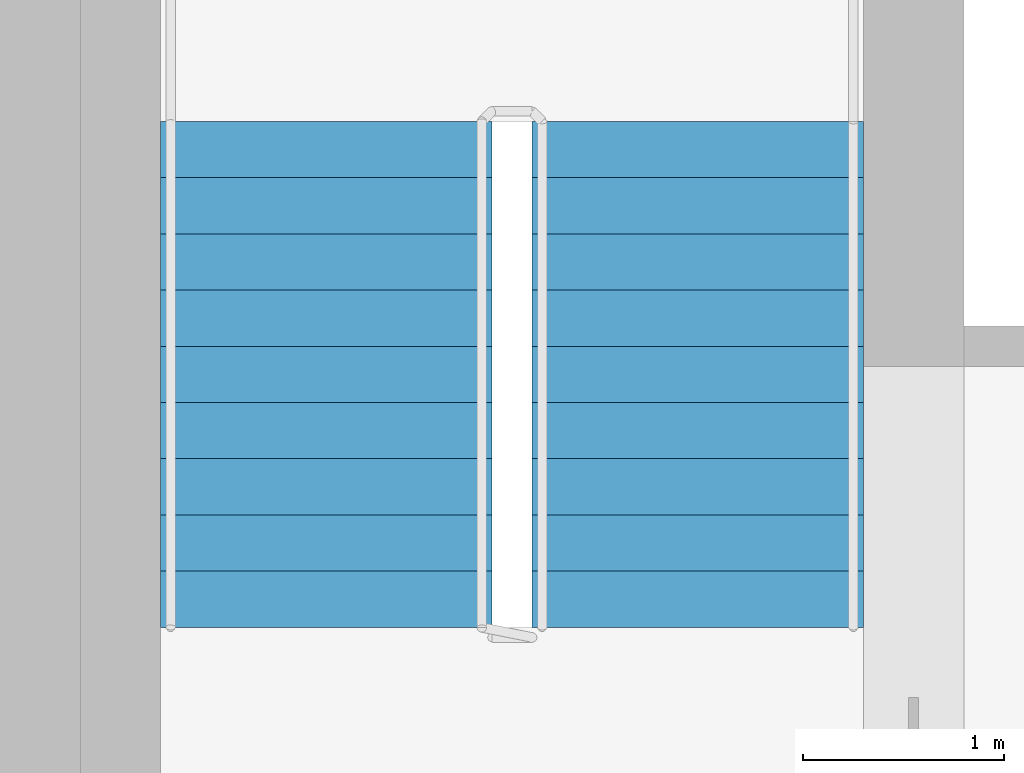
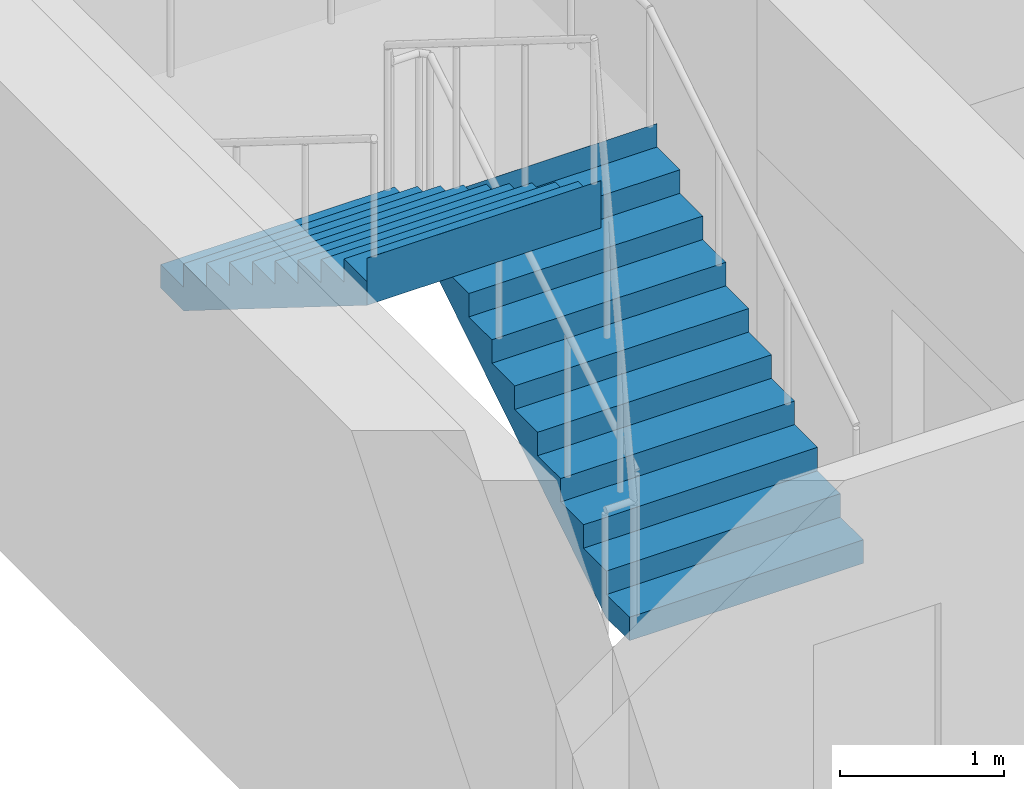
# One storey, part 10 of 11: 2 stair flights, 1 element without a shape of its own.
"""IFC4 building model written with IfcOpenShell, lengths in metres."""

from ifc_helpers import new_model, si_unit, direction, frame, origin, place, context, subcontext, project, spatial, polyline, outline, extrude, material, type_object, element, aggregate, save


model = new_model("IFC4")

# Units and contexts
model_context = context("Model", 3, precision=1e-05, world=origin(), true_north=direction((0.0, 1.0)))
body_context = subcontext(model_context, "Body", "Model", "MODEL_VIEW")
ifc_project = project(units=[si_unit("LENGTHUNIT", "METRE"), si_unit("AREAUNIT", "SQUARE_METRE"), si_unit("VOLUMEUNIT", "CUBIC_METRE"), si_unit("PLANEANGLEUNIT", "RADIAN"), si_unit("MASSUNIT", "GRAM", prefix="KILO")], contexts=[model_context])

# Site, building, storey
site_placement = place(None, origin())
site = spatial("IfcSite", under=ifc_project, at=site_placement, CompositionType="ELEMENT")
building_placement = place(site_placement, origin())
building = spatial("IfcBuilding", under=site, at=building_placement, Name="Tamorin Gate", CompositionType="ELEMENT")
storey_placement = place(building_placement, frame((0.0, 0.0, 233.699951171875)))
storey = spatial("IfcBuildingStorey", under=building, at=storey_placement, Name="L58", CompositionType="ELEMENT", Elevation=233.699951171875)

# Stair, stair flights
ifc_material = material(Name="Concrete C40/50", Category="concrete")
stair_type = type_object("IfcStairType", Name="Exit stair", PredefinedType="HALF_TURN_STAIR", material=ifc_material)
stair_placement = place(storey_placement, origin())
stair = element("IfcStair", 1, at=stair_placement, inside=storey, type_object=stair_type, Name="L58 stair ST2", PredefinedType="HALF_TURN_STAIR")
stair_flight_type = type_object("IfcStairFlightType", Name="Exit stair flight", PredefinedType="STRAIGHT", material=ifc_material)
stair_flight_1_placement = place(storey_placement, frame((33.675048828125, 77.0, 0.0), z_axis=(0.0, 0.0, 1.0), x_axis=(0.0, 1.0, 0.0)))
stair_flight_1 = element("IfcStairFlight", 2, at=stair_flight_1_placement, type_object=stair_flight_type, Name="ST2 flight 1", NumberOfRisers=10, NumberOfTreads=9, PredefinedType="STRAIGHT", RiserHeight=0.175, TreadLength=0.28, context=body_context, shape_type="SweptSolid", body=[
    extrude(outline(polyline([(-0.00048828125, 0.0), (-0.00048828125, 0.001708984375), (-0.00048828125, 0.00341796875), (-0.00048828125, 0.005126953125), (-0.00048828125, 0.0068359375), (-0.00048828125, 0.008544921875), (-0.00048828125, 0.010498046875), (-0.00048828125, 0.01220703125), (-0.00048828125, 0.013916015625), (-0.00048828125, 0.015625), (-0.00048828125, 0.017333984375), (-0.00048828125, 0.01904296875), (-0.00048828125, 0.020751953125), (-0.00048828125, 0.0224609375), (-0.00048828125, 0.024169921875), (-0.00048828125, 0.02587890625), (-0.00048828125, 0.02783203125), (-0.00048828125, 0.029541015625), (-0.00048828125, 0.03125), (-0.00048828125, 0.032958984375), (-0.00048828125, 0.03466796875), (-0.00048828125, 0.036376953125), (-0.00048828125, 0.0380859375), (-0.00048828125, 0.039794921875), (-0.00048828125, 0.04150390625), (-0.00048828125, 0.043212890625), (-0.00048828125, 0.045166015625), (-0.00048828125, 0.046875), (-0.00048828125, 0.048583984375), (-0.00048828125, 0.05029296875), (-0.00048828125, 0.052001953125), (-0.00048828125, 0.0537109375), (-0.00048828125, 0.055419921875), (-0.00048828125, 0.05712890625), (-0.00048828125, 0.058837890625), (-0.00048828125, 0.060546875), (-0.00048828125, 0.062255859375), (-0.00048828125, 0.064208984375), (-0.00048828125, 0.06591796875), (-0.00048828125, 0.067626953125), (-0.00048828125, 0.0693359375), (-0.00048828125, 0.071044921875), (-0.00048828125, 0.07275390625), (-0.00048828125, 0.074462890625), (-0.00048828125, 0.076171875), (-0.00048828125, 0.077880859375), (-0.00048828125, 0.07958984375), (-0.00048828125, 0.08154296875), (-0.00048828125, 0.083251953125), (-0.00048828125, 0.0849609375), (-0.00048828125, 0.086669921875), (-0.00048828125, 0.08837890625), (-0.00048828125, 0.090087890625), (-0.00048828125, 0.091796875), (-0.00048828125, 0.093505859375), (-0.00048828125, 0.09521484375), (-0.00048828125, 0.096923828125), (-0.00048828125, 0.098876953125), (-0.00048828125, 0.1005859375), (-0.00048828125, 0.102294921875), (-0.00048828125, 0.10400390625), (-0.00048828125, 0.105712890625), (-0.00048828125, 0.107421875), (-0.00048828125, 0.109130859375), (-0.00048828125, 0.11083984375), (-0.00048828125, 0.112548828125), (-0.00048828125, 0.1142578125), (-0.00048828125, 0.1162109375), (-0.00048828125, 0.117919921875), (-0.00048828125, 0.11962890625), (-0.00048828125, 0.121337890625), (-0.00048828125, 0.123046875), (-0.00048828125, 0.124755859375), (-0.00048828125, 0.12646484375), (-0.00048828125, 0.128173828125), (-0.00048828125, 0.1298828125), (-0.00048828125, 0.131591796875), (-0.00048828125, 0.13330078125), (-0.00048828125, 0.13525390625), (-0.00048828125, 0.136962890625), (-0.00048828125, 0.138671875), (-0.00048828125, 0.140380859375), (-0.00048828125, 0.14208984375), (-0.00048828125, 0.143798828125), (-0.00048828125, 0.1455078125), (-0.00048828125, 0.147216796875), (-0.00048828125, 0.14892578125), (-0.00048828125, 0.150634765625), (-0.00048828125, 0.152587890625), (-0.00048828125, 0.154296875), (-0.00048828125, 0.156005859375), (-0.00048828125, 0.15771484375), (-0.00048828125, 0.159423828125), (-0.00048828125, 0.1611328125), (-0.00048828125, 0.162841796875), (-0.00048828125, 0.16455078125), (-0.00048828125, 0.166259765625), (-0.00048828125, 0.16796875), (-0.00048828125, 0.169921875), (-0.00048828125, 0.171630859375), (-0.00048828125, 0.17333984375), (-0.00048828125, 0.175048828125), (0.280029296875, 0.175048828125), (0.280029296875, 0.35009765625), (0.56005859375, 0.35009765625), (0.56005859375, 0.52490234375), (0.840087890625, 0.52490234375), (0.840087890625, 0.699951171875), (1.1201171875, 0.699951171875), (1.1201171875, 0.875), (1.39990234375, 0.875), (1.39990234375, 1.050048828125), (1.679931640625, 1.050048828125), (1.679931640625, 1.22509765625), (1.9599609375, 1.22509765625), (1.9599609375, 1.39990234375), (2.239990234375, 1.39990234375), (2.239990234375, 1.574951171875), (2.52001953125, 1.574951171875), (2.52001953125, 1.75), (2.5205078125, 1.75), (2.5205078125, 1.74658203125), (2.5205078125, 1.742919921875), (2.5205078125, 1.739501953125), (2.5205078125, 1.736083984375), (2.5205078125, 1.732666015625), (2.5205078125, 1.72900390625), (2.5205078125, 1.7255859375), (2.5205078125, 1.72216796875), (2.5205078125, 1.71875), (2.5205078125, 1.715087890625), (2.5205078125, 1.711669921875), (2.5205078125, 1.708251953125), (2.5205078125, 1.704833984375), (2.5205078125, 1.701171875), (2.5205078125, 1.69775390625), (2.5205078125, 1.6943359375), (2.5205078125, 1.690673828125), (2.5205078125, 1.687255859375), (2.5205078125, 1.683837890625), (2.5205078125, 1.680419921875), (2.5205078125, 1.6767578125), (2.5205078125, 1.67333984375), (2.5205078125, 1.669921875), (2.5205078125, 1.66650390625), (2.5205078125, 1.662841796875), (2.5205078125, 1.659423828125), (2.5205078125, 1.656005859375), (2.5205078125, 1.652587890625), (2.5205078125, 1.64892578125), (2.5205078125, 1.6455078125), (2.5205078125, 1.64208984375), (2.5205078125, 1.638427734375), (2.5205078125, 1.635009765625), (2.5205078125, 1.631591796875), (2.5205078125, 1.628173828125), (2.5205078125, 1.62451171875), (2.5205078125, 1.62109375), (2.5205078125, 1.61767578125), (2.5205078125, 1.6142578125), (2.5205078125, 1.610595703125), (2.5205078125, 1.607177734375), (2.5205078125, 1.603759765625), (2.5205078125, 1.600341796875), (2.5205078125, 1.5966796875), (2.5205078125, 1.59326171875), (2.5205078125, 1.58984375), (2.5205078125, 1.58642578125), (2.5205078125, 1.582763671875), (2.5205078125, 1.579345703125), (2.5205078125, 1.575927734375), (2.5205078125, 1.572265625), (2.5205078125, 1.56884765625), (2.5205078125, 1.5654296875), (2.5205078125, 1.56201171875), (2.5205078125, 1.558349609375), (2.5205078125, 1.554931640625), (2.5205078125, 1.551513671875), (2.5205078125, 1.548095703125), (2.5205078125, 1.54443359375), (2.5205078125, 1.541015625), (2.5205078125, 1.53759765625), (2.5205078125, 1.5341796875), (2.5205078125, 1.530517578125), (2.5205078125, 1.527099609375), (2.5205078125, 1.523681640625), (2.5205078125, 1.52001953125), (2.5205078125, 1.5166015625), (2.5205078125, 1.51318359375), (2.5205078125, 1.509765625), (2.5205078125, 1.506103515625), (2.5205078125, 1.502685546875), (2.5205078125, 1.499267578125), (2.5205078125, 1.495849609375), (2.5205078125, 1.4921875), (2.5205078125, 1.48876953125), (2.5205078125, 1.4853515625), (2.5205078125, 1.48193359375), (2.5205078125, 1.478271484375), (2.5205078125, 1.474853515625), (2.5205078125, 1.471435546875), (2.5205078125, 1.4677734375), (2.5205078125, 1.46435546875), (2.5205078125, 1.4609375), (2.5205078125, 1.45751953125), (2.5205078125, 1.453857421875), (2.5205078125, 1.450439453125), (2.5205078125, 1.447021484375), (2.5205078125, 1.443603515625), (2.5205078125, 1.43994140625), (2.5205078125, 1.4365234375), (2.5205078125, 1.43310546875), (2.5205078125, 1.4296875), (2.5205078125, 1.426025390625), (2.5205078125, 1.422607421875), (2.5205078125, 1.419189453125), (2.5205078125, 1.41552734375), (2.5205078125, 1.412109375), (2.5205078125, 1.40869140625), (2.5205078125, 1.4052734375), (2.5205078125, 1.401611328125), (2.5205078125, 1.398193359375), (2.52001953125, 1.398193359375), (0.28271484375, 0.0), (-0.00048828125, 0.0)])), frame((0.0, 0.824951171875, 0.0), z_axis=(0.0, -1.0, 0.0), x_axis=(1.0, 0.0, 0.0)), (0.0, 0.0, 1.0), 1.64990234375),
])
stair_flight_2_placement = place(storey_placement, frame((31.824951171875, 79.52001953125, 1.75), z_axis=(0.0, 0.0, 1.0), x_axis=(0.0, -1.0, 0.0)))
stair_flight_2 = element("IfcStairFlight", 3, at=stair_flight_2_placement, type_object=stair_flight_type, Name="ST2 flight 2", NumberOfRisers=10, NumberOfTreads=9, PredefinedType="STRAIGHT", RiserHeight=0.175, TreadLength=0.28, context=body_context, shape_type="SweptSolid", body=[
    extrude(outline(polyline([(-0.00048828125, 0.0), (-0.00048828125, 0.001708984375), (-0.00048828125, 0.00341796875), (-0.00048828125, 0.005126953125), (-0.00048828125, 0.0068359375), (-0.00048828125, 0.008544921875), (-0.00048828125, 0.010498046875), (-0.00048828125, 0.01220703125), (-0.00048828125, 0.013916015625), (-0.00048828125, 0.015625), (-0.00048828125, 0.017333984375), (-0.00048828125, 0.01904296875), (-0.00048828125, 0.020751953125), (-0.00048828125, 0.0224609375), (-0.00048828125, 0.024169921875), (-0.00048828125, 0.02587890625), (-0.00048828125, 0.02783203125), (-0.00048828125, 0.029541015625), (-0.00048828125, 0.03125), (-0.00048828125, 0.032958984375), (-0.00048828125, 0.03466796875), (-0.00048828125, 0.036376953125), (-0.00048828125, 0.0380859375), (-0.00048828125, 0.039794921875), (-0.00048828125, 0.04150390625), (-0.00048828125, 0.043212890625), (-0.00048828125, 0.045166015625), (-0.00048828125, 0.046875), (-0.00048828125, 0.048583984375), (-0.00048828125, 0.05029296875), (-0.00048828125, 0.052001953125), (-0.00048828125, 0.0537109375), (-0.00048828125, 0.055419921875), (-0.00048828125, 0.05712890625), (-0.00048828125, 0.058837890625), (-0.00048828125, 0.060546875), (-0.00048828125, 0.062255859375), (-0.00048828125, 0.064208984375), (-0.00048828125, 0.06591796875), (-0.00048828125, 0.067626953125), (-0.00048828125, 0.0693359375), (-0.00048828125, 0.071044921875), (-0.00048828125, 0.07275390625), (-0.00048828125, 0.074462890625), (-0.00048828125, 0.076171875), (-0.00048828125, 0.077880859375), (-0.00048828125, 0.07958984375), (-0.00048828125, 0.08154296875), (-0.00048828125, 0.083251953125), (-0.00048828125, 0.0849609375), (-0.00048828125, 0.086669921875), (-0.00048828125, 0.08837890625), (-0.00048828125, 0.090087890625), (-0.00048828125, 0.091796875), (-0.00048828125, 0.093505859375), (-0.00048828125, 0.09521484375), (-0.00048828125, 0.096923828125), (-0.00048828125, 0.098876953125), (-0.00048828125, 0.1005859375), (-0.00048828125, 0.102294921875), (-0.00048828125, 0.10400390625), (-0.00048828125, 0.105712890625), (-0.00048828125, 0.107421875), (-0.00048828125, 0.109130859375), (-0.00048828125, 0.11083984375), (-0.00048828125, 0.112548828125), (-0.00048828125, 0.1142578125), (-0.00048828125, 0.1162109375), (-0.00048828125, 0.117919921875), (-0.00048828125, 0.11962890625), (-0.00048828125, 0.121337890625), (-0.00048828125, 0.123046875), (-0.00048828125, 0.124755859375), (-0.00048828125, 0.12646484375), (-0.00048828125, 0.128173828125), (-0.00048828125, 0.1298828125), (-0.00048828125, 0.131591796875), (-0.00048828125, 0.13330078125), (-0.00048828125, 0.13525390625), (-0.00048828125, 0.136962890625), (-0.00048828125, 0.138671875), (-0.00048828125, 0.140380859375), (-0.00048828125, 0.14208984375), (-0.00048828125, 0.143798828125), (-0.00048828125, 0.1455078125), (-0.00048828125, 0.147216796875), (-0.00048828125, 0.14892578125), (-0.00048828125, 0.150634765625), (-0.00048828125, 0.152587890625), (-0.00048828125, 0.154296875), (-0.00048828125, 0.156005859375), (-0.00048828125, 0.15771484375), (-0.00048828125, 0.159423828125), (-0.00048828125, 0.1611328125), (-0.00048828125, 0.162841796875), (-0.00048828125, 0.16455078125), (-0.00048828125, 0.166259765625), (-0.00048828125, 0.16796875), (-0.00048828125, 0.169921875), (-0.00048828125, 0.171630859375), (-0.00048828125, 0.17333984375), (-0.00048828125, 0.175048828125), (0.280029296875, 0.175048828125), (0.280029296875, 0.35009765625), (0.56005859375, 0.35009765625), (0.56005859375, 0.52490234375), (0.840087890625, 0.52490234375), (0.840087890625, 0.699951171875), (1.1201171875, 0.699951171875), (1.1201171875, 0.875), (1.39990234375, 0.875), (1.39990234375, 1.050048828125), (1.679931640625, 1.050048828125), (1.679931640625, 1.22509765625), (1.9599609375, 1.22509765625), (1.9599609375, 1.39990234375), (2.239990234375, 1.39990234375), (2.239990234375, 1.574951171875), (2.52001953125, 1.574951171875), (2.52001953125, 1.75), (2.5205078125, 1.75), (2.5205078125, 1.74658203125), (2.5205078125, 1.742919921875), (2.5205078125, 1.739501953125), (2.5205078125, 1.736083984375), (2.5205078125, 1.732666015625), (2.5205078125, 1.72900390625), (2.5205078125, 1.7255859375), (2.5205078125, 1.72216796875), (2.5205078125, 1.71875), (2.5205078125, 1.715087890625), (2.5205078125, 1.711669921875), (2.5205078125, 1.708251953125), (2.5205078125, 1.704833984375), (2.5205078125, 1.701171875), (2.5205078125, 1.69775390625), (2.5205078125, 1.6943359375), (2.5205078125, 1.690673828125), (2.5205078125, 1.687255859375), (2.5205078125, 1.683837890625), (2.5205078125, 1.680419921875), (2.5205078125, 1.6767578125), (2.5205078125, 1.67333984375), (2.5205078125, 1.669921875), (2.5205078125, 1.66650390625), (2.5205078125, 1.662841796875), (2.5205078125, 1.659423828125), (2.5205078125, 1.656005859375), (2.5205078125, 1.652587890625), (2.5205078125, 1.64892578125), (2.5205078125, 1.6455078125), (2.5205078125, 1.64208984375), (2.5205078125, 1.638427734375), (2.5205078125, 1.635009765625), (2.5205078125, 1.631591796875), (2.5205078125, 1.628173828125), (2.5205078125, 1.62451171875), (2.5205078125, 1.62109375), (2.5205078125, 1.61767578125), (2.5205078125, 1.6142578125), (2.5205078125, 1.610595703125), (2.5205078125, 1.607177734375), (2.5205078125, 1.603759765625), (2.5205078125, 1.600341796875), (2.5205078125, 1.5966796875), (2.5205078125, 1.59326171875), (2.5205078125, 1.58984375), (2.5205078125, 1.58642578125), (2.5205078125, 1.582763671875), (2.5205078125, 1.579345703125), (2.5205078125, 1.575927734375), (2.5205078125, 1.572265625), (2.5205078125, 1.56884765625), (2.5205078125, 1.5654296875), (2.5205078125, 1.56201171875), (2.5205078125, 1.558349609375), (2.5205078125, 1.554931640625), (2.5205078125, 1.551513671875), (2.5205078125, 1.548095703125), (2.5205078125, 1.54443359375), (2.5205078125, 1.541015625), (2.5205078125, 1.53759765625), (2.5205078125, 1.5341796875), (2.5205078125, 1.530517578125), (2.5205078125, 1.527099609375), (2.5205078125, 1.523681640625), (2.5205078125, 1.52001953125), (2.5205078125, 1.5166015625), (2.5205078125, 1.51318359375), (2.5205078125, 1.509765625), (2.5205078125, 1.506103515625), (2.5205078125, 1.502685546875), (2.5205078125, 1.499267578125), (2.5205078125, 1.495849609375), (2.5205078125, 1.4921875), (2.5205078125, 1.48876953125), (2.5205078125, 1.4853515625), (2.5205078125, 1.48193359375), (2.5205078125, 1.478271484375), (2.5205078125, 1.474853515625), (2.5205078125, 1.471435546875), (2.5205078125, 1.4677734375), (2.5205078125, 1.46435546875), (2.5205078125, 1.4609375), (2.5205078125, 1.45751953125), (2.5205078125, 1.453857421875), (2.5205078125, 1.450439453125), (2.5205078125, 1.447021484375), (2.5205078125, 1.443603515625), (2.5205078125, 1.43994140625), (2.5205078125, 1.4365234375), (2.5205078125, 1.43310546875), (2.5205078125, 1.4296875), (2.5205078125, 1.426025390625), (2.5205078125, 1.422607421875), (2.5205078125, 1.419189453125), (2.5205078125, 1.41552734375), (2.5205078125, 1.412109375), (2.5205078125, 1.40869140625), (2.5205078125, 1.4052734375), (2.5205078125, 1.401611328125), (2.5205078125, 1.398193359375), (2.52001953125, 1.398193359375), (0.28271484375, 0.0), (-0.00048828125, 0.0)])), frame((0.0, 0.824951171875, 0.0), z_axis=(0.0, -1.0, 0.0), x_axis=(1.0, 0.0, 0.0)), (0.0, 0.0, 1.0), 1.64990234375),
])
aggregate(stair, [stair_flight_1, stair_flight_2])

save(model, "model.ifc")
